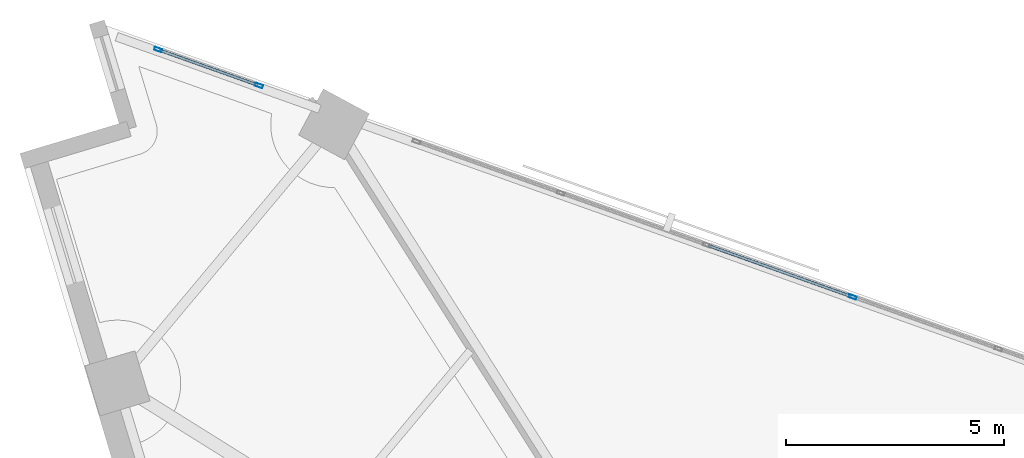
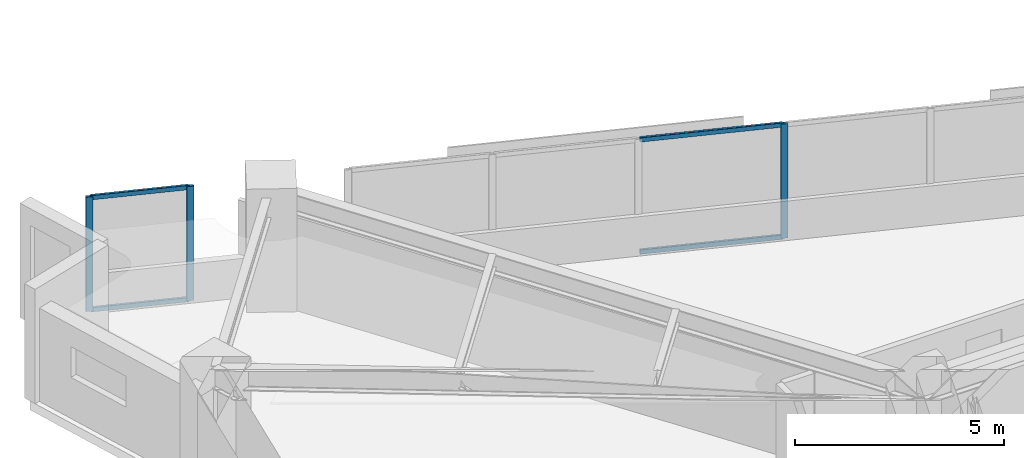
# One storey, part 7 of 16: 7 members, 2 elements without a shape of their own.
"""IFC4 building model written with IfcOpenShell, lengths in metres."""

from ifc_helpers import new_model, si_unit, direction, frame, origin, origin_2d, place, context, subcontext, project, spatial, hollow_rectangle, extrude, material, material_profile, profile_set, type_object, element, aggregate, save


model = new_model("IFC4")

# Units and contexts
model_context = context("Model", 3, precision=1e-05, world=origin(), true_north=direction((0.0, 1.0)))
body_context = subcontext(model_context, "Body", "Model", "MODEL_VIEW")
ifc_project = project(units=[si_unit("LENGTHUNIT", "METRE"), si_unit("AREAUNIT", "SQUARE_METRE"), si_unit("VOLUMEUNIT", "CUBIC_METRE"), si_unit("PLANEANGLEUNIT", "RADIAN"), si_unit("MASSUNIT", "GRAM", prefix="KILO")], contexts=[model_context])

# Site, building, storey
site_placement = place(None, origin())
site = spatial("IfcSite", under=ifc_project, at=site_placement, CompositionType="ELEMENT")
building_placement = place(site_placement, origin())
building = spatial("IfcBuilding", under=site, at=building_placement, Name="Narakoshi Arena Tower", CompositionType="ELEMENT")
storey_placement = place(building_placement, frame((0.0, 0.0, 153.89990234375)))
storey = spatial("IfcBuildingStorey", under=building, at=storey_placement, Name="L41", CompositionType="ELEMENT", Elevation=153.89990234375)

# Curtain wall, member
ifc_material = material(Name="Anodised bronze aluminium 6063-T6", Category="aluminium")
curtain_wall_type = type_object("IfcCurtainWallType", Name="CW-HYP-MID", PredefinedType="NOTDEFINED", material=ifc_material)
curtain_wall_1_placement = place(storey_placement, origin())
curtain_wall_1 = element("IfcCurtainWall", 1, at=curtain_wall_1_placement, inside=storey, type_object=curtain_wall_type, Name="L41 Folded Hypotenuse Curtain Wall 2-1", PredefinedType="NOTDEFINED")
ifc_material_profile_1 = material_profile(ifc_material, hollow_rectangle(XDim=0.074951171875, YDim=0.179931640625, WallThickness=0.00390625, OuterFilletRadius=0.0048828125, at=origin_2d()), Name="MUL180x75x4")
ifc_profile_set_1 = profile_set([ifc_material_profile_1], Name="Anodised bronze aluminium 6063-T6")
member_type_1 = type_object("IfcMemberType", Name="MEM-MUL-180", PredefinedType="MULLION", material=ifc_profile_set_1)
member_1_placement = place(storey_placement, frame((74.43701171875, 67.490966796875, 0.0), z_axis=(0.0, 0.0, 1.0), x_axis=(-0.335518297139, -0.94203368957, 0.0)))
member_1 = element("IfcMember", 2, at=member_1_placement, type_object=member_type_1, Name="CW-02 mullion 5", PredefinedType="MULLION", context=body_context, shape_type="SweptSolid", body=[
    extrude(hollow_rectangle(XDim=0.074951171875, YDim=0.179931640625, WallThickness=0.00390625, OuterFilletRadius=0.0048828125, at=origin_2d()), origin(), (0.0, 0.0, 1.0), 3.340087890625),
])

# Curtain wall, members
curtain_wall_2_placement = place(storey_placement, origin())
curtain_wall_2 = element("IfcCurtainWall", 3, at=curtain_wall_2_placement, inside=storey, type_object=curtain_wall_type, Name="L41 Folded Hypotenuse Curtain Wall 2-2", PredefinedType="NOTDEFINED")
member_2_placement = place(storey_placement, frame((60.826416015625, 72.33837890625, 0.0), z_axis=(0.0, 0.0, 1.0), x_axis=(-0.335541869571, -0.942025293591, 0.0)))
member_2 = element("IfcMember", 4, at=member_2_placement, type_object=member_type_1, Name="CW-02 mullion 1", PredefinedType="MULLION", context=body_context, shape_type="SweptSolid", body=[
    extrude(hollow_rectangle(XDim=0.074951171875, YDim=0.179931640625, WallThickness=0.00390625, OuterFilletRadius=0.0048828125, at=origin_2d()), origin(), (0.0, 0.0, 1.0), 3.340087890625),
])
member_3_placement = place(storey_placement, frame((58.515625, 73.16162109375, 0.0), z_axis=(0.0, 0.0, 1.0), x_axis=(-0.335541869571, -0.942025293591, 0.0)))
member_3 = element("IfcMember", 5, at=member_3_placement, type_object=member_type_1, Name="CW-02 mullion 2", PredefinedType="MULLION", context=body_context, shape_type="SweptSolid", body=[
    extrude(hollow_rectangle(XDim=0.074951171875, YDim=0.179931640625, WallThickness=0.00390625, OuterFilletRadius=0.0048828125, at=origin_2d()), origin(), (0.0, 0.0, 1.0), 3.340087890625),
])

# Member
ifc_material_profile_2 = material_profile(ifc_material, hollow_rectangle(XDim=0.06494140625, YDim=0.1298828125, WallThickness=0.00390625, OuterFilletRadius=0.0048828125, at=origin_2d()), Name="TRN130x65x4")
ifc_profile_set_2 = profile_set([ifc_material_profile_2], Name="Anodised bronze aluminium 6063-T6")
member_type_2 = type_object("IfcMemberType", Name="MEM-TRN-130", PredefinedType="USERDEFINED", material=ifc_profile_set_2)
member_4_placement = place(storey_placement, frame((74.401611328125, 67.50341796875, 0.03271484375), z_axis=(-0.942037165195, 0.335508538477, 0.0), x_axis=(-0.335508538477, -0.942037165195, 0.0)))
member_4 = element("IfcMember", 6, at=member_4_placement, type_object=member_type_2, Name="CW-02 transom 5.1", ObjectType="TRANSOM", PredefinedType="USERDEFINED", context=body_context, shape_type="SweptSolid", body=[
    extrude(hollow_rectangle(XDim=0.06494140625, YDim=0.1298828125, WallThickness=0.00390625, OuterFilletRadius=0.0048828125, at=origin_2d()), origin(), (0.0, 0.0, 1.0), 3.475341796875),
])

member_5_placement = place(storey_placement, frame((74.401611328125, 67.50341796875, 3.3076171875), z_axis=(-0.942037165195, 0.335508538477, 0.0), x_axis=(-0.335508538477, -0.942037165195, 0.0)))
member_5 = element("IfcMember", 7, at=member_5_placement, type_object=member_type_2, Name="CW-02 transom 5.2", ObjectType="TRANSOM", PredefinedType="USERDEFINED", context=body_context, shape_type="SweptSolid", body=[
    extrude(hollow_rectangle(XDim=0.06494140625, YDim=0.1298828125, WallThickness=0.00390625, OuterFilletRadius=0.0048828125, at=origin_2d()), origin(), (0.0, 0.0, 1.0), 3.475341796875),
])

aggregate(curtain_wall_1, [member_1, member_4, member_5])

member_6_placement = place(storey_placement, frame((60.791015625, 72.35107421875, 0.03271484375), z_axis=(-0.942027291531, 0.335536260351, 0.0), x_axis=(-0.335536260351, -0.942027291531, 0.0)))
member_6 = element("IfcMember", 8, at=member_6_placement, type_object=member_type_2, Name="CW-02 transom 1.1", ObjectType="TRANSOM", PredefinedType="USERDEFINED", context=body_context, shape_type="SweptSolid", body=[
    extrude(hollow_rectangle(XDim=0.06494140625, YDim=0.1298828125, WallThickness=0.00390625, OuterFilletRadius=0.0048828125, at=origin_2d()), origin(), (0.0, 0.0, 1.0), 2.3779296875),
])

member_7_placement = place(storey_placement, frame((60.791015625, 72.35107421875, 3.3076171875), z_axis=(-0.942027291531, 0.335536260351, 0.0), x_axis=(-0.335536260351, -0.942027291531, 0.0)))
member_7 = element("IfcMember", 9, at=member_7_placement, type_object=member_type_2, Name="CW-02 transom 1.2", ObjectType="TRANSOM", PredefinedType="USERDEFINED", context=body_context, shape_type="SweptSolid", body=[
    extrude(hollow_rectangle(XDim=0.06494140625, YDim=0.1298828125, WallThickness=0.00390625, OuterFilletRadius=0.0048828125, at=origin_2d()), origin(), (0.0, 0.0, 1.0), 2.3779296875),
])

aggregate(curtain_wall_2, [member_2, member_3, member_6, member_7])

save(model, "model.ifc")
